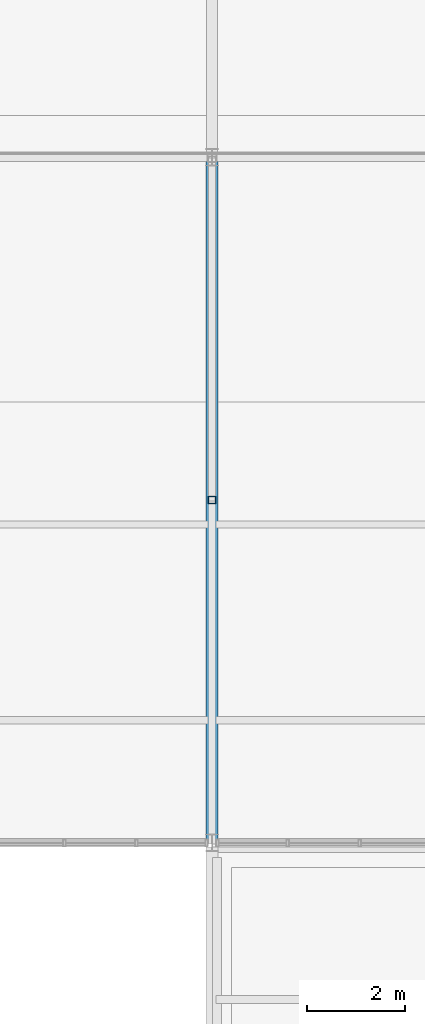
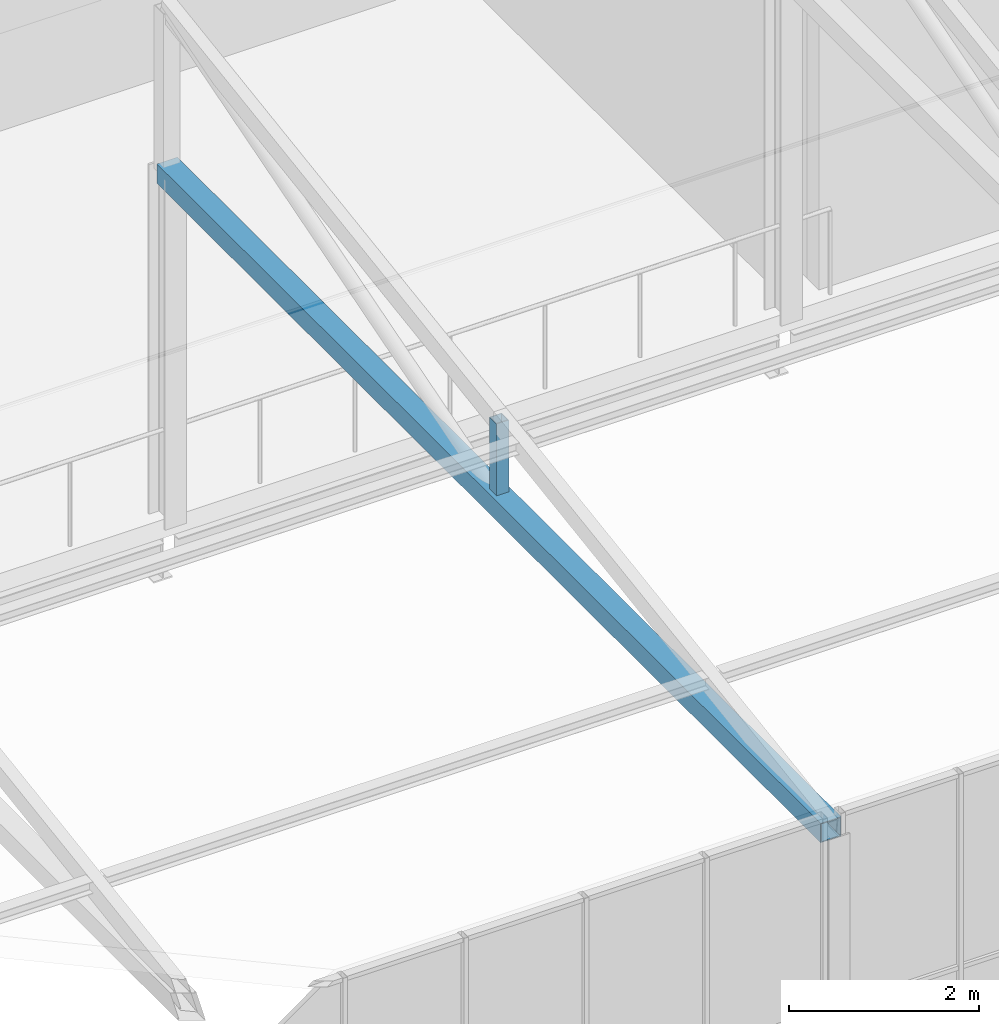
# One storey, part 46 of 104: 2 members.
"""IFC4 building model written with IfcOpenShell, lengths in metres."""

from ifc_helpers import new_model, si_unit, direction, frame, origin, origin_2d, place, context, subcontext, project, spatial, hollow_rectangle, extrude, material, material_profile, profile_set, type_object, element, save


model = new_model("IFC4")

# Units and contexts
model_context = context("Model", 3, precision=1e-05, world=origin(), true_north=direction((0.0, 1.0)))
body_context = subcontext(model_context, "Body", "Model", "MODEL_VIEW")
ifc_project = project(units=[si_unit("LENGTHUNIT", "METRE"), si_unit("AREAUNIT", "SQUARE_METRE"), si_unit("VOLUMEUNIT", "CUBIC_METRE"), si_unit("PLANEANGLEUNIT", "RADIAN"), si_unit("MASSUNIT", "GRAM", prefix="KILO")], contexts=[model_context])

# Site, building, storey
site_placement = place(None, origin())
site = spatial("IfcSite", under=ifc_project, at=site_placement, CompositionType="ELEMENT")
building_placement = place(site_placement, origin())
building = spatial("IfcBuilding", under=site, at=building_placement, Name="Solvenia Promenade Tram Depot", CompositionType="ELEMENT")
storey_placement = place(building_placement, frame((0.0, 0.0, 9.0)))
storey = spatial("IfcBuildingStorey", under=building, at=storey_placement, Name="L02", CompositionType="ELEMENT", Elevation=9.0)

# Members
ifc_material = material(Name="Structural steel ASTM A500 Gr. C", Category="steel")
ifc_material_profile_1 = material_profile(ifc_material, hollow_rectangle(XDim=0.25, YDim=0.25, WallThickness=0.010009765625, at=origin_2d()), Name="HSS250x250x10", Category="steel")
ifc_profile_set_1 = profile_set([ifc_material_profile_1], Name="Structural steel ASTM A500 Gr. C")
member_type_1 = type_object("IfcMemberType", Name="Chord-HSS250x250x10", PredefinedType="CHORD", material=ifc_profile_set_1)
member_1_placement = place(storey_placement, frame((135.0, 24.0, 4.47998046875), z_axis=(0.0, 1.0, 0.0), x_axis=(-1.0, 0.0, 0.0)))
element("IfcMember", 1, at=member_1_placement, inside=storey, type_object=member_type_1, Name="Crane Hall Truss Bottom Tie 05", PredefinedType="CHORD", context=body_context, shape_type="SweptSolid", body=[
    extrude(hollow_rectangle(XDim=0.25, YDim=0.25, WallThickness=0.010009765625, at=origin_2d()), origin(), (0.0, 0.0, 1.0), 14.0),
])
ifc_material_profile_2 = material_profile(ifc_material, hollow_rectangle(XDim=0.14990234375, YDim=0.14990234375, WallThickness=0.008056640625, at=origin_2d()), Name="HSS150x150x8", Category="steel")
ifc_profile_set_2 = profile_set([ifc_material_profile_2], Name="Structural steel ASTM A500 Gr. C")
member_type_2 = type_object("IfcMemberType", Name="Post-HSS150x150x8", PredefinedType="POST", material=ifc_profile_set_2)
member_2_placement = place(storey_placement, frame((135.0, 31.0, 4.47998046875), z_axis=(0.0, 0.0, 1.0), x_axis=(1.0, 0.0, 0.0)))
element("IfcMember", 2, at=member_2_placement, inside=storey, type_object=member_type_2, Name="Crane Hall Mid Web Post 05", PredefinedType="POST", context=body_context, shape_type="SweptSolid", body=[
    extrude(hollow_rectangle(XDim=0.14990234375, YDim=0.14990234375, WallThickness=0.008056640625, at=origin_2d()), origin(), (0.0, 0.0, 1.0), 1.050048828125),
])

save(model, "model.ifc")
